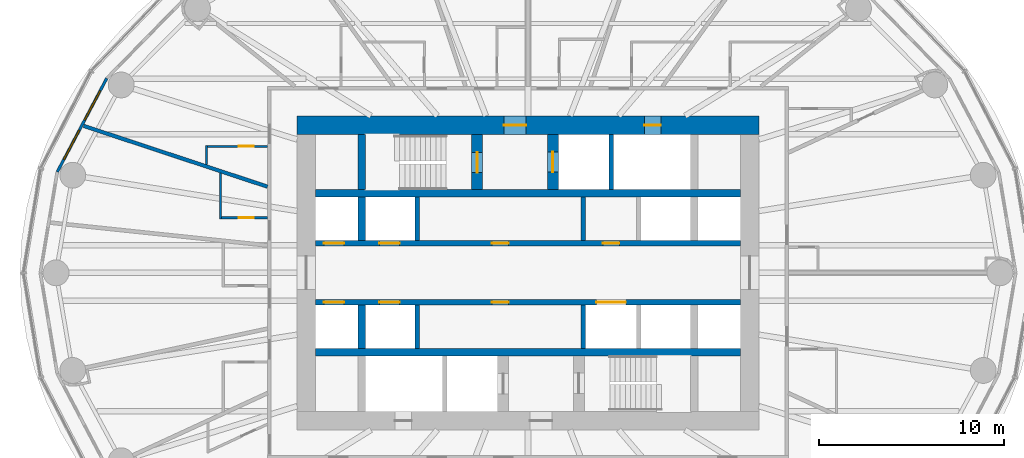
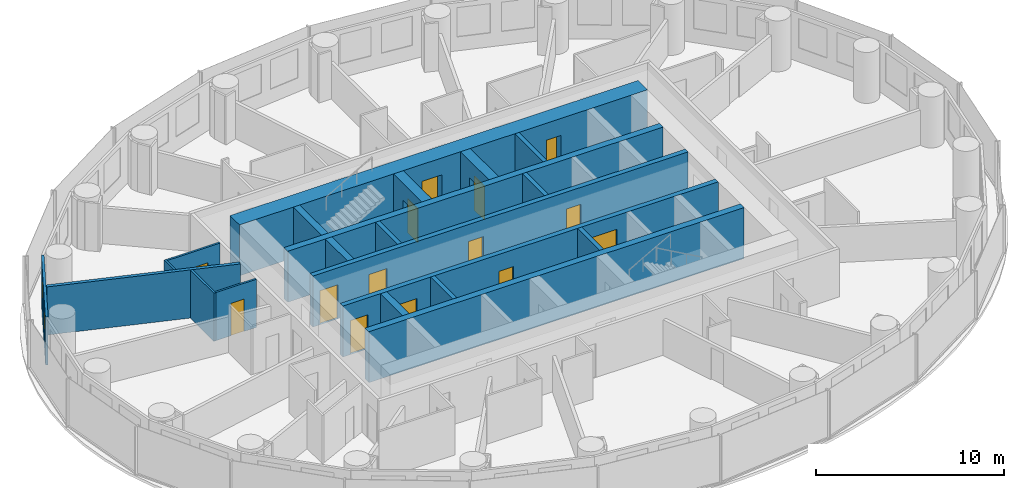
# One storey, part 8 of 13: 21 walls, 14 doors, 2 windows, 16 openings.
"""IFC4 building model written with IfcOpenShell, lengths in metres."""

from ifc_helpers import new_model, si_unit, direction, frame, frame_2d, origin, place, context, subcontext, project, spatial, rectangle, extrude, material, layer, layer_set, type_object, element, fill, save


model = new_model("IFC4")

# Units and contexts
model_context = context("Model", 3, precision=1e-05, world=origin(), true_north=direction((0.0, 1.0)))
body_context = subcontext(model_context, "Body", "Model", "MODEL_VIEW")
ifc_project = project(units=[si_unit("LENGTHUNIT", "METRE"), si_unit("AREAUNIT", "SQUARE_METRE"), si_unit("VOLUMEUNIT", "CUBIC_METRE"), si_unit("PLANEANGLEUNIT", "RADIAN"), si_unit("MASSUNIT", "GRAM", prefix="KILO")], contexts=[model_context])

# Site, building, storey
site_placement = place(None, origin())
site = spatial("IfcSite", under=ifc_project, at=site_placement, CompositionType="ELEMENT")
building_placement = place(site_placement, origin())
building = spatial("IfcBuilding", under=site, at=building_placement, Name="Hankou Lantern Tower", CompositionType="ELEMENT")
storey_placement = place(building_placement, frame((0.0, 0.0, 80.39990234375)))
storey = spatial("IfcBuildingStorey", under=building, at=storey_placement, Name="L20", CompositionType="ELEMENT", Elevation=80.39990234375)

# Wall, openings, doors
ifc_material_1 = material(Name="Concrete C60", Category="concrete")
ifc_layer_1 = layer(ifc_material_1, 1.0)
ifc_layer_set_1 = layer_set([ifc_layer_1], Name="Concrete C60")
wall_type_1 = type_object("IfcWallType", Name="CW1 CORE WALL 1000", PredefinedType="SHEAR", material=ifc_layer_set_1)
wall_1_placement = place(storey_placement, frame((-12.5, 8.0, 0.0), z_axis=(0.0, 0.0, 1.0), x_axis=(1.0, 0.0, 0.0)))
wall_1 = element("IfcWall", 1, at=wall_1_placement, inside=storey, type_object=wall_type_1, Name="Core wall north L20", PredefinedType="SHEAR", context=body_context, shape_type="SweptSolid", body=[
    extrude(rectangle(XDim=25.0, YDim=1.0, at=frame_2d((12.5, 0.0))), origin(), (0.0, 0.0, 1.0), 3.300048828125),
])
opening_1_placement = place(wall_1_placement, frame((11.199951171875, 0.0, 0.0)))
opening_1 = element("IfcOpeningElement", 2, at=opening_1_placement, cuts=wall_1, Name="Opening D5", PredefinedType="OPENING", context=body_context, shape_type="SweptSolid", body=[
    extrude(rectangle(XDim=1.199951171875, YDim=2.199951171875, at=frame_2d((0.60009765625, 1.10009765625))), frame((0.0, 0.510009765625, 0.0), z_axis=(0.0, -1.0, 0.0), x_axis=(1.0, 0.0, 0.0)), (0.0, 0.0, 1.0), 1.02001953125),
])
opening_2_placement = place(wall_1_placement, frame((18.800048828125, 0.0, 0.0)))
opening_2 = element("IfcOpeningElement", 3, at=opening_2_placement, cuts=wall_1, Name="Opening D7", PredefinedType="OPENING", context=body_context, shape_type="SweptSolid", body=[
    extrude(rectangle(XDim=0.89990234375, YDim=2.199951171875, at=frame_2d((0.449951171875, 1.10009765625))), frame((0.0, 0.510009765625, 0.0), z_axis=(0.0, -1.0, 0.0), x_axis=(1.0, 0.0, 0.0)), (0.0, 0.0, 1.0), 1.02001953125),
])
ifc_material_2 = material(Name="Steel door leaf", Category="steel")
door_type_1 = type_object("IfcDoorType", Name="D5 STAIR LOBBY DOOR 1200X2200", OperationType="SINGLE_SWING_LEFT", PredefinedType="DOOR", material=ifc_material_2)
door_1_placement = place(opening_1_placement, origin())
door_1 = element("IfcDoor", 4, at=door_1_placement, inside=storey, type_object=door_type_1, Name="Stair A lobby door", OperationType="SINGLE_SWING_LEFT", OverallHeight=2.199951171875, OverallWidth=1.199951171875, PredefinedType="DOOR", context=body_context, shape_type="SweptSolid", body=[
    extrude(rectangle(XDim=1.199951171875, YDim=2.199951171875, at=frame_2d((0.60009765625, 1.10009765625))), frame((0.0, 0.02490234375, 0.0), z_axis=(0.0, -1.0, 0.0), x_axis=(1.0, 0.0, 0.0)), (0.0, 0.0, 1.0), 0.050048828125),
])
fill(opening_1, door_1)
ifc_material_3 = material(Name="Steel door leaf", Category="steel")
door_type_2 = type_object("IfcDoorType", Name="D7 RISER DOOR 900X2200", OperationType="SINGLE_SWING_LEFT", PredefinedType="DOOR", material=ifc_material_3)
door_2_placement = place(opening_2_placement, origin())
door_2 = element("IfcDoor", 5, at=door_2_placement, inside=storey, type_object=door_type_2, Name="Riser N1 door", OperationType="SINGLE_SWING_RIGHT", OverallHeight=2.199951171875, OverallWidth=0.89990234375, PredefinedType="DOOR", context=body_context, shape_type="SweptSolid", body=[
    extrude(rectangle(XDim=0.89990234375, YDim=2.199951171875, at=frame_2d((0.449951171875, 1.10009765625))), frame((0.0, 0.02490234375, 0.0), z_axis=(0.0, -1.0, 0.0), x_axis=(1.0, 0.0, 0.0)), (0.0, 0.0, 1.0), 0.050048828125),
])
fill(opening_2, door_2)

# Walls
ifc_material_4 = material(Name="Concrete C60", Category="concrete")
ifc_layer_2 = layer(ifc_material_4, 0.39990234375)
ifc_layer_set_2 = layer_set([ifc_layer_2], Name="Concrete C60")
wall_type_2 = type_object("IfcWallType", Name="CW4 CORE CROSS WALL 400", PredefinedType="SHEAR", material=ifc_layer_set_2)
for number, where, z_axis, x_axis, name in (
    (6, (-11.5, 4.300048828125, 0.0), (0.0, 0.0, 1.0), (1.0, 0.0, 0.0), "Core band wall north L20"),
    (7, (-11.5, -4.300048828125, 0.0), (0.0, 0.0, 1.0), (1.0, 0.0, 0.0), "Core band wall south L20"),
):
    element("IfcWall", number, at=place(storey_placement, frame(where, z_axis=z_axis, x_axis=x_axis)), inside=storey, type_object=wall_type_2, Name=name, PredefinedType="SHEAR", context=body_context, shape_type="SweptSolid", body=[
        extrude(rectangle(XDim=23.0, YDim=0.39990234375, at=frame_2d((11.5, 0.0))), origin(), (0.0, 0.0, 1.0), 3.300048828125),
    ])
wall_2_placement = place(storey_placement, frame((-9.0, 4.5, 0.0), z_axis=(0.0, 0.0, 1.0), x_axis=(0.0, 1.0, 0.0)))
element("IfcWall", 8, at=wall_2_placement, inside=storey, type_object=wall_type_2, Name="Core strip wall L20", PredefinedType="SHEAR", context=body_context, shape_type="SweptSolid", body=[
    extrude(rectangle(XDim=3.0, YDim=0.39990234375, at=frame_2d((1.5, 0.0))), origin(), (0.0, 0.0, 1.0), 3.300048828125),
])
for number, where, z_axis, x_axis, name in (
    (9, (-9.0, 1.75, 0.0), (0.0, 0.0, 1.0), (0.0, 1.0, 0.0), "Core strip wall L20"),
    (10, (-9.0, -4.10009765625, 0.0), (0.0, 0.0, 1.0), (0.0, 1.0, 0.0), "Core strip wall L20"),
):
    element("IfcWall", number, at=place(storey_placement, frame(where, z_axis=z_axis, x_axis=x_axis)), inside=storey, type_object=wall_type_2, Name=name, PredefinedType="SHEAR", context=body_context, shape_type="SweptSolid", body=[
        extrude(rectangle(XDim=2.35009765625, YDim=0.39990234375, at=frame_2d((1.175048828125, 0.0))), origin(), (0.0, 0.0, 1.0), 3.300048828125),
    ])

# Wall, openings, doors
ifc_material_5 = material(Name="Concrete C60", Category="concrete")
ifc_layer_3 = layer(ifc_material_5, 0.300048828125)
ifc_layer_set_3 = layer_set([ifc_layer_3], Name="Concrete C60")
wall_type_3 = type_object("IfcWallType", Name="CW5 LIFT LOBBY WALL 300", PredefinedType="SHEAR", material=ifc_layer_set_3)
wall_3_placement = place(storey_placement, frame((-11.5, 1.60009765625, 0.0), z_axis=(0.0, 0.0, 1.0), x_axis=(1.0, 0.0, 0.0)))
wall_3 = element("IfcWall", 11, at=wall_3_placement, inside=storey, type_object=wall_type_3, Name="Lift lobby wall north L20", PredefinedType="SHEAR", context=body_context, shape_type="SweptSolid", body=[
    extrude(rectangle(XDim=23.0, YDim=0.300048828125, at=frame_2d((11.5, 0.0))), origin(), (0.0, 0.0, 1.0), 3.300048828125),
])
opening_3_placement = place(wall_3_placement, frame((0.449951171875, 0.0, 0.0)))
opening_3 = element("IfcOpeningElement", 12, at=opening_3_placement, cuts=wall_3, Name="Opening LD1", PredefinedType="OPENING", context=body_context, shape_type="SweptSolid", body=[
    extrude(rectangle(XDim=1.10009765625, YDim=2.199951171875, at=frame_2d((0.550048828125, 1.10009765625))), frame((0.0, 0.159912109375, 0.0), z_axis=(0.0, -1.0, 0.0), x_axis=(1.0, 0.0, 0.0)), (0.0, 0.0, 1.0), 0.320068359375),
])
opening_4_placement = place(wall_3_placement, frame((3.449951171875, 0.0, 0.0)))
opening_4 = element("IfcOpeningElement", 13, at=opening_4_placement, cuts=wall_3, Name="Opening LD1", PredefinedType="OPENING", context=body_context, shape_type="SweptSolid", body=[
    extrude(rectangle(XDim=1.10009765625, YDim=2.199951171875, at=frame_2d((0.550048828125, 1.10009765625))), frame((0.0, 0.159912109375, 0.0), z_axis=(0.0, -1.0, 0.0), x_axis=(1.0, 0.0, 0.0)), (0.0, 0.0, 1.0), 0.320068359375),
])
opening_5_placement = place(wall_3_placement, frame((9.550048828125, 0.0, 0.0)))
opening_5 = element("IfcOpeningElement", 14, at=opening_5_placement, cuts=wall_3, Name="Opening D30", PredefinedType="OPENING", context=body_context, shape_type="SweptSolid", body=[
    extrude(rectangle(XDim=0.89990234375, YDim=2.199951171875, at=frame_2d((0.449951171875, 1.10009765625))), frame((0.0, 0.159912109375, 0.0), z_axis=(0.0, -1.0, 0.0), x_axis=(1.0, 0.0, 0.0)), (0.0, 0.0, 1.0), 0.320068359375),
])
opening_6_placement = place(wall_3_placement, frame((15.550048828125, 0.0, 0.0)))
opening_6 = element("IfcOpeningElement", 15, at=opening_6_placement, cuts=wall_3, Name="Opening D30", PredefinedType="OPENING", context=body_context, shape_type="SweptSolid", body=[
    extrude(rectangle(XDim=0.89990234375, YDim=2.199951171875, at=frame_2d((0.449951171875, 1.10009765625))), frame((0.0, 0.159912109375, 0.0), z_axis=(0.0, -1.0, 0.0), x_axis=(1.0, 0.0, 0.0)), (0.0, 0.0, 1.0), 0.320068359375),
])
ifc_material_6 = material(Name="Steel door leaf", Category="steel")
door_type_3 = type_object("IfcDoorType", Name="D30 CORE ROOM DOOR 900X2200", OperationType="SINGLE_SWING_LEFT", PredefinedType="DOOR", material=ifc_material_6)
door_3_placement = place(opening_5_placement, origin())
door_3 = element("IfcDoor", 16, at=door_3_placement, inside=storey, type_object=door_type_3, Name="Engineering store door", OperationType="SINGLE_SWING_LEFT", OverallHeight=2.199951171875, OverallWidth=0.89990234375, PredefinedType="DOOR", context=body_context, shape_type="SweptSolid", body=[
    extrude(rectangle(XDim=0.89990234375, YDim=2.199951171875, at=frame_2d((0.449951171875, 1.10009765625))), frame((0.0, 0.02490234375, 0.0), z_axis=(0.0, -1.0, 0.0), x_axis=(1.0, 0.0, 0.0)), (0.0, 0.0, 1.0), 0.050048828125),
])
fill(opening_5, door_3)
door_4_placement = place(opening_6_placement, origin())
door_4 = element("IfcDoor", 17, at=door_4_placement, inside=storey, type_object=door_type_3, Name="Cleaner's store door", OperationType="SINGLE_SWING_RIGHT", OverallHeight=2.199951171875, OverallWidth=0.89990234375, PredefinedType="DOOR", context=body_context, shape_type="SweptSolid", body=[
    extrude(rectangle(XDim=0.89990234375, YDim=2.199951171875, at=frame_2d((0.449951171875, 1.10009765625))), frame((0.0, 0.02490234375, 0.0), z_axis=(0.0, -1.0, 0.0), x_axis=(1.0, 0.0, 0.0)), (0.0, 0.0, 1.0), 0.050048828125),
])
fill(opening_6, door_4)
ifc_material_7 = material(Name="Steel door leaf", Category="steel")
door_type_4 = type_object("IfcDoorType", Name="LD1 LIFT LANDING DOOR 1100X2200", OperationType="DOUBLE_DOOR_SLIDING", PredefinedType="DOOR", material=ifc_material_7)
door_5_placement = place(opening_3_placement, origin())
door_5 = element("IfcDoor", 18, at=door_5_placement, inside=storey, type_object=door_type_4, Name="Lift L1 landing door", OperationType="DOUBLE_DOOR_SLIDING", OverallHeight=2.199951171875, OverallWidth=1.10009765625, PredefinedType="DOOR", context=body_context, shape_type="SweptSolid", body=[
    extrude(rectangle(XDim=1.10009765625, YDim=2.199951171875, at=frame_2d((0.550048828125, 1.10009765625))), frame((0.0, 0.02490234375, 0.0), z_axis=(0.0, -1.0, 0.0), x_axis=(1.0, 0.0, 0.0)), (0.0, 0.0, 1.0), 0.050048828125),
])
fill(opening_3, door_5)
door_6_placement = place(opening_4_placement, origin())
door_6 = element("IfcDoor", 19, at=door_6_placement, inside=storey, type_object=door_type_4, Name="Lift L2 landing door", OperationType="DOUBLE_DOOR_SLIDING", OverallHeight=2.199951171875, OverallWidth=1.10009765625, PredefinedType="DOOR", context=body_context, shape_type="SweptSolid", body=[
    extrude(rectangle(XDim=1.10009765625, YDim=2.199951171875, at=frame_2d((0.550048828125, 1.10009765625))), frame((0.0, 0.02490234375, 0.0), z_axis=(0.0, -1.0, 0.0), x_axis=(1.0, 0.0, 0.0)), (0.0, 0.0, 1.0), 0.050048828125),
])
fill(opening_4, door_6)

wall_4_placement = place(storey_placement, frame((-11.5, -1.60009765625, 0.0), z_axis=(0.0, 0.0, 1.0), x_axis=(1.0, 0.0, 0.0)))
wall_4 = element("IfcWall", 20, at=wall_4_placement, inside=storey, type_object=wall_type_3, Name="Lift lobby wall south L20", PredefinedType="SHEAR", context=body_context, shape_type="SweptSolid", body=[
    extrude(rectangle(XDim=23.0, YDim=0.300048828125, at=frame_2d((11.5, 0.0))), origin(), (0.0, 0.0, 1.0), 3.300048828125),
])
opening_7_placement = place(wall_4_placement, frame((0.449951171875, 0.0, 0.0)))
opening_7 = element("IfcOpeningElement", 21, at=opening_7_placement, cuts=wall_4, Name="Opening LD1", PredefinedType="OPENING", context=body_context, shape_type="SweptSolid", body=[
    extrude(rectangle(XDim=1.10009765625, YDim=2.199951171875, at=frame_2d((0.550048828125, 1.10009765625))), frame((0.0, 0.159912109375, 0.0), z_axis=(0.0, -1.0, 0.0), x_axis=(1.0, 0.0, 0.0)), (0.0, 0.0, 1.0), 0.320068359375),
])
opening_8_placement = place(wall_4_placement, frame((3.449951171875, 0.0, 0.0)))
opening_8 = element("IfcOpeningElement", 22, at=opening_8_placement, cuts=wall_4, Name="Opening LD1", PredefinedType="OPENING", context=body_context, shape_type="SweptSolid", body=[
    extrude(rectangle(XDim=1.10009765625, YDim=2.199951171875, at=frame_2d((0.550048828125, 1.10009765625))), frame((0.0, 0.159912109375, 0.0), z_axis=(0.0, -1.0, 0.0), x_axis=(1.0, 0.0, 0.0)), (0.0, 0.0, 1.0), 0.320068359375),
])
opening_9_placement = place(wall_4_placement, frame((15.199951171875, 0.0, 0.0)))
opening_9 = element("IfcOpeningElement", 23, at=opening_9_placement, cuts=wall_4, Name="Opening LD4", PredefinedType="OPENING", context=body_context, shape_type="SweptSolid", body=[
    extrude(rectangle(XDim=1.60009765625, YDim=2.39990234375, at=frame_2d((0.800048828125, 1.199951171875))), frame((0.0, 0.159912109375, 0.0), z_axis=(0.0, -1.0, 0.0), x_axis=(1.0, 0.0, 0.0)), (0.0, 0.0, 1.0), 0.320068359375),
])
opening_10_placement = place(wall_4_placement, frame((9.550048828125, 0.0, 0.0)))
opening_10 = element("IfcOpeningElement", 24, at=opening_10_placement, cuts=wall_4, Name="Opening D30", PredefinedType="OPENING", context=body_context, shape_type="SweptSolid", body=[
    extrude(rectangle(XDim=0.89990234375, YDim=2.199951171875, at=frame_2d((0.449951171875, 1.10009765625))), frame((0.0, 0.159912109375, 0.0), z_axis=(0.0, -1.0, 0.0), x_axis=(1.0, 0.0, 0.0)), (0.0, 0.0, 1.0), 0.320068359375),
])
door_7_placement = place(opening_10_placement, origin())
door_7 = element("IfcDoor", 25, at=door_7_placement, inside=storey, type_object=door_type_3, Name="Housekeeping and linen store door", OperationType="SINGLE_SWING_LEFT", OverallHeight=2.199951171875, OverallWidth=0.89990234375, PredefinedType="DOOR", context=body_context, shape_type="SweptSolid", body=[
    extrude(rectangle(XDim=0.89990234375, YDim=2.199951171875, at=frame_2d((0.449951171875, 1.10009765625))), frame((0.0, 0.02490234375, 0.0), z_axis=(0.0, -1.0, 0.0), x_axis=(1.0, 0.0, 0.0)), (0.0, 0.0, 1.0), 0.050048828125),
])
fill(opening_10, door_7)
door_8_placement = place(opening_7_placement, origin())
door_8 = element("IfcDoor", 26, at=door_8_placement, inside=storey, type_object=door_type_4, Name="Lift L3 landing door", OperationType="DOUBLE_DOOR_SLIDING", OverallHeight=2.199951171875, OverallWidth=1.10009765625, PredefinedType="DOOR", context=body_context, shape_type="SweptSolid", body=[
    extrude(rectangle(XDim=1.10009765625, YDim=2.199951171875, at=frame_2d((0.550048828125, 1.10009765625))), frame((0.0, 0.02490234375, 0.0), z_axis=(0.0, -1.0, 0.0), x_axis=(1.0, 0.0, 0.0)), (0.0, 0.0, 1.0), 0.050048828125),
])
fill(opening_7, door_8)
door_9_placement = place(opening_8_placement, origin())
door_9 = element("IfcDoor", 27, at=door_9_placement, inside=storey, type_object=door_type_4, Name="Lift L4 landing door", OperationType="DOUBLE_DOOR_SLIDING", OverallHeight=2.199951171875, OverallWidth=1.10009765625, PredefinedType="DOOR", context=body_context, shape_type="SweptSolid", body=[
    extrude(rectangle(XDim=1.10009765625, YDim=2.199951171875, at=frame_2d((0.550048828125, 1.10009765625))), frame((0.0, 0.02490234375, 0.0), z_axis=(0.0, -1.0, 0.0), x_axis=(1.0, 0.0, 0.0)), (0.0, 0.0, 1.0), 0.050048828125),
])
fill(opening_8, door_9)
ifc_material_8 = material(Name="Steel door leaf", Category="steel")
door_type_5 = type_object("IfcDoorType", Name="LD4 SERVICE LIFT LANDING DOOR 1600X2400", OperationType="DOUBLE_DOOR_SLIDING", PredefinedType="DOOR", material=ifc_material_8)
door_10_placement = place(opening_9_placement, origin())
door_10 = element("IfcDoor", 28, at=door_10_placement, inside=storey, type_object=door_type_5, Name="Lift SV1 landing door", OperationType="DOUBLE_DOOR_SLIDING", OverallHeight=2.39990234375, OverallWidth=1.60009765625, PredefinedType="DOOR", context=body_context, shape_type="SweptSolid", body=[
    extrude(rectangle(XDim=1.60009765625, YDim=2.39990234375, at=frame_2d((0.800048828125, 1.199951171875))), frame((0.0, 0.02490234375, 0.0), z_axis=(0.0, -1.0, 0.0), x_axis=(1.0, 0.0, 0.0)), (0.0, 0.0, 1.0), 0.050048828125),
])
fill(opening_9, door_10)

# Wall, opening, door
ifc_material_9 = material(Name="Concrete C60", Category="concrete")
ifc_layer_4 = layer(ifc_material_9, 0.60009765625)
ifc_layer_set_4 = layer_set([ifc_layer_4], Name="Concrete C60")
wall_type_4 = type_object("IfcWallType", Name="CW6 STAIR AND SHAFT WALL 600", PredefinedType="SHEAR", material=ifc_layer_set_4)
wall_5_placement = place(storey_placement, frame((-2.75, 4.5, 0.0), z_axis=(0.0, 0.0, 1.0), x_axis=(0.0, 1.0, 0.0)))
wall_5 = element("IfcWall", 29, at=wall_5_placement, inside=storey, type_object=wall_type_4, Name="Stair wall L20", PredefinedType="SHEAR", context=body_context, shape_type="SweptSolid", body=[
    extrude(rectangle(XDim=3.0, YDim=0.60009765625, at=frame_2d((1.5, 0.0))), origin(), (0.0, 0.0, 1.0), 3.300048828125),
])
opening_11_placement = place(wall_5_placement, frame((0.925048828125, 0.0, 0.0)))
opening_11 = element("IfcOpeningElement", 30, at=opening_11_placement, cuts=wall_5, Name="Opening D4", PredefinedType="OPENING", context=body_context, shape_type="SweptSolid", body=[
    extrude(rectangle(XDim=1.10009765625, YDim=2.199951171875, at=frame_2d((0.550048828125, 1.10009765625))), frame((0.0, 0.31005859375, 0.0), z_axis=(0.0, -1.0, 0.0), x_axis=(1.0, 0.0, 0.0)), (0.0, 0.0, 1.0), 0.6201171875),
])
ifc_material_10 = material(Name="Steel door leaf", Category="steel")
door_type_6 = type_object("IfcDoorType", Name="D4 STAIR DOOR 1100X2200", OperationType="SINGLE_SWING_LEFT", PredefinedType="DOOR", material=ifc_material_10)
door_11_placement = place(opening_11_placement, origin())
door_11 = element("IfcDoor", 31, at=door_11_placement, inside=storey, type_object=door_type_6, Name="Stair A door", OperationType="SINGLE_SWING_LEFT", OverallHeight=2.199951171875, OverallWidth=1.10009765625, PredefinedType="DOOR", context=body_context, shape_type="SweptSolid", body=[
    extrude(rectangle(XDim=1.10009765625, YDim=2.199951171875, at=frame_2d((0.550048828125, 1.10009765625))), frame((0.0, 0.02490234375, 0.0), z_axis=(0.0, -1.0, 0.0), x_axis=(1.0, 0.0, 0.0)), (0.0, 0.0, 1.0), 0.050048828125),
])
fill(opening_11, door_11)

wall_6_placement = place(storey_placement, frame((1.35009765625, 4.5, 0.0), z_axis=(0.0, 0.0, 1.0), x_axis=(0.0, 1.0, 0.0)))
wall_6 = element("IfcWall", 32, at=wall_6_placement, inside=storey, type_object=wall_type_4, Name="Firefighting lift shaft wall L20", PredefinedType="SHEAR", context=body_context, shape_type="SweptSolid", body=[
    extrude(rectangle(XDim=3.0, YDim=0.60009765625, at=frame_2d((1.5, 0.0))), origin(), (0.0, 0.0, 1.0), 3.300048828125),
])
opening_12_placement = place(wall_6_placement, frame((0.949951171875, 0.0, 0.0)))
opening_12 = element("IfcOpeningElement", 33, at=opening_12_placement, cuts=wall_6, Name="Opening LD2", PredefinedType="OPENING", context=body_context, shape_type="SweptSolid", body=[
    extrude(rectangle(XDim=1.10009765625, YDim=2.199951171875, at=frame_2d((0.550048828125, 1.10009765625))), frame((0.0, 0.31005859375, 0.0), z_axis=(0.0, -1.0, 0.0), x_axis=(1.0, 0.0, 0.0)), (0.0, 0.0, 1.0), 0.6201171875),
])
ifc_material_11 = material(Name="Steel door leaf", Category="steel")
door_type_7 = type_object("IfcDoorType", Name="LD2 FIREFIGHTING LIFT LANDING DOOR 1100X2200", OperationType="DOUBLE_DOOR_SLIDING", PredefinedType="DOOR", material=ifc_material_11)
door_12_placement = place(opening_12_placement, origin())
door_12 = element("IfcDoor", 34, at=door_12_placement, inside=storey, type_object=door_type_7, Name="Firefighting lift FL1 landing door", OperationType="DOUBLE_DOOR_SLIDING", OverallHeight=2.199951171875, OverallWidth=1.10009765625, PredefinedType="DOOR", context=body_context, shape_type="SweptSolid", body=[
    extrude(rectangle(XDim=1.10009765625, YDim=2.199951171875, at=frame_2d((0.550048828125, 1.10009765625))), frame((0.0, 0.02490234375, 0.0), z_axis=(0.0, -1.0, 0.0), x_axis=(1.0, 0.0, 0.0)), (0.0, 0.0, 1.0), 0.050048828125),
])
fill(opening_12, door_12)

# Wall, openings, windows
ifc_material_12 = material(Name="Aluminium spandrel panel on steel studs", Category="steel")
ifc_layer_5 = layer(ifc_material_12, 0.14990234375)
ifc_layer_set_5 = layer_set([ifc_layer_5], Name="Aluminium spandrel panel on steel studs")
wall_type_5 = type_object("IfcWallType", Name="EW1 INNER SKIN WALL 150", PredefinedType="ELEMENTEDWALL", material=ifc_layer_set_5)
wall_7_placement = place(storey_placement, frame((-22.802734375, 10.5322265625, 0.0), z_axis=(0.0, 0.0, 1.0), x_axis=(-0.467296867008, -0.884100468321, 0.0)))
wall_7 = element("IfcWall", 35, at=wall_7_placement, inside=storey, type_object=wall_type_5, Name="Inner skin R11-R12 L20", PredefinedType="ELEMENTEDWALL", context=body_context, shape_type="SweptSolid", body=[
    extrude(rectangle(XDim=5.734375, YDim=0.14990234375, at=frame_2d((2.8671875, 0.0))), origin(), (0.0, 0.0, 1.0), 3.1201171875),
])
opening_13_placement = place(wall_7_placement, frame((0.76708984375, 0.0, 0.89990234375)))
opening_13 = element("IfcOpeningElement", 36, at=opening_13_placement, cuts=wall_7, Name="Opening W1", PredefinedType="OPENING", context=body_context, shape_type="SweptSolid", body=[
    extrude(rectangle(XDim=1.800048828125, YDim=1.89990234375, at=frame_2d((0.89990234375, 0.949951171875))), frame((0.0, 0.0849609375, 0.0), z_axis=(0.0, -1.0, 0.0), x_axis=(1.0, 0.0, 0.0)), (0.0, 0.0, 1.0), 0.169921875),
])
opening_14_placement = place(wall_7_placement, frame((3.167236328125, 0.0, 0.89990234375)))
opening_14 = element("IfcOpeningElement", 37, at=opening_14_placement, cuts=wall_7, Name="Opening W1", PredefinedType="OPENING", context=body_context, shape_type="SweptSolid", body=[
    extrude(rectangle(XDim=1.800048828125, YDim=1.89990234375, at=frame_2d((0.89990234375, 0.949951171875))), frame((0.0, 0.0849609375, 0.0), z_axis=(0.0, -1.0, 0.0), x_axis=(1.0, 0.0, 0.0)), (0.0, 0.0, 1.0), 0.169921875),
])
ifc_material_13 = material(Name="Aluminium framed double glazed window", Category="aluminium")
window_type = type_object("IfcWindowType", Name="W1 GUEST ROOM WINDOW 1800X1900", PartitioningType="DOUBLE_PANEL_VERTICAL", PredefinedType="WINDOW", material=ifc_material_13)
window_1_placement = place(opening_13_placement, origin())
window_1 = element("IfcWindow", 38, at=window_1_placement, inside=storey, type_object=window_type, Name="Window R11.1 L20", OverallHeight=1.89990234375, OverallWidth=1.800048828125, PartitioningType="SINGLE_PANEL", PredefinedType="WINDOW", context=body_context, shape_type="SweptSolid", body=[
    extrude(rectangle(XDim=1.800048828125, YDim=1.89990234375, at=frame_2d((0.89990234375, 0.949951171875))), frame((0.0, 0.030029296875, 0.0), z_axis=(0.0, -1.0, 0.0), x_axis=(1.0, 0.0, 0.0)), (0.0, 0.0, 1.0), 0.06005859375),
])
fill(opening_13, window_1)
window_2_placement = place(opening_14_placement, origin())
window_2 = element("IfcWindow", 39, at=window_2_placement, inside=storey, type_object=window_type, Name="Window R11.2 L20", OverallHeight=1.89990234375, OverallWidth=1.800048828125, PartitioningType="SINGLE_PANEL", PredefinedType="WINDOW", context=body_context, shape_type="SweptSolid", body=[
    extrude(rectangle(XDim=1.800048828125, YDim=1.89990234375, at=frame_2d((0.89990234375, 0.949951171875))), frame((0.0, 0.030029296875, 0.0), z_axis=(0.0, -1.0, 0.0), x_axis=(1.0, 0.0, 0.0)), (0.0, 0.0, 1.0), 0.06005859375),
])
fill(opening_14, window_2)

# Walls
ifc_material_14 = material(Name="Masonry lightweight concrete block", Category="masonry")
ifc_layer_6 = layer(ifc_material_14, 0.199951171875)
ifc_layer_set_6 = layer_set([ifc_layer_6], Name="Masonry lightweight concrete block")
wall_type_6 = type_object("IfcWallType", Name="IW1 GUEST ROOM PARTY WALL 200", PredefinedType="PARTITIONING", material=ifc_layer_set_6)
wall_8_placement = place(storey_placement, frame((-14.10009765625, 4.6630859375, 0.0), z_axis=(0.0, 0.0, 1.0), x_axis=(-0.949432655039, 0.31397075269, 0.0)))
element("IfcWall", 40, at=wall_8_placement, inside=storey, type_object=wall_type_6, Name="Party wall R11-R12", PredefinedType="PARTITIONING", context=body_context, shape_type="SweptSolid", body=[
    extrude(rectangle(XDim=10.48583984375, YDim=0.199951171875, at=frame_2d((5.242919921875, 0.0))), origin(), (0.0, 0.0, 1.0), 3.1201171875),
])
ifc_material_15 = material(Name="Masonry lightweight concrete block", Category="masonry")
ifc_layer_7 = layer(ifc_material_15, 0.1201171875)
ifc_layer_set_7 = layer_set([ifc_layer_7], Name="Masonry lightweight concrete block")
wall_type_7 = type_object("IfcWallType", Name="IW3 BATHROOM WALL 120", PredefinedType="PARTITIONING", material=ifc_layer_set_7)
wall_9_placement = place(storey_placement, frame((-16.64990234375, 5.40625, 0.0), z_axis=(0.0, 0.0, 1.0), x_axis=(0.0, -1.0, 0.0)))
element("IfcWall", 41, at=wall_9_placement, inside=storey, type_object=wall_type_7, Name="Box wall 2001 1", PredefinedType="PARTITIONING", context=body_context, shape_type="SweptSolid", body=[
    extrude(rectangle(XDim=2.483154296875, YDim=0.1201171875, at=frame_2d((1.24169921875, 0.0))), origin(), (0.0, 0.0, 1.0), 3.1201171875),
])

# Wall, opening, door
wall_10_placement = place(storey_placement, frame((-14.10009765625, 2.98291015625, 0.0), z_axis=(0.0, 0.0, 1.0), x_axis=(-1.0, 0.0, 0.0)))
wall_10 = element("IfcWall", 42, at=wall_10_placement, inside=storey, type_object=wall_type_7, Name="Box wall 2001 1", PredefinedType="PARTITIONING", context=body_context, shape_type="SweptSolid", body=[
    extrude(rectangle(XDim=2.489990234375, YDim=0.1201171875, at=frame_2d((1.2451171875, 0.0))), origin(), (0.0, 0.0, 1.0), 3.1201171875),
])
opening_15_placement = place(wall_10_placement, frame((0.75, 0.0, 0.0)))
opening_15 = element("IfcOpeningElement", 43, at=opening_15_placement, cuts=wall_10, Name="Opening D3", PredefinedType="OPENING", context=body_context, shape_type="SweptSolid", body=[
    extrude(rectangle(XDim=0.800048828125, YDim=2.10009765625, at=frame_2d((0.39990234375, 1.050048828125))), frame((0.0, 0.070068359375, 0.0), z_axis=(0.0, -1.0, 0.0), x_axis=(1.0, 0.0, 0.0)), (0.0, 0.0, 1.0), 0.14013671875),
])
ifc_material_16 = material(Name="Timber door leaf", Category="wood")
door_type_8 = type_object("IfcDoorType", Name="D3 BATHROOM DOOR 800X2100", OperationType="SINGLE_SWING_LEFT", PredefinedType="DOOR", material=ifc_material_16)
door_13_placement = place(opening_15_placement, origin())
door_13 = element("IfcDoor", 44, at=door_13_placement, inside=storey, type_object=door_type_8, Name="En-suite bathroom 2001 door", OperationType="SINGLE_SWING_LEFT", OverallHeight=2.10009765625, OverallWidth=0.800048828125, PredefinedType="DOOR", context=body_context, shape_type="SweptSolid", body=[
    extrude(rectangle(XDim=0.800048828125, YDim=2.10009765625, at=frame_2d((0.39990234375, 1.050048828125))), frame((0.0, 0.02490234375, 0.0), z_axis=(0.0, -1.0, 0.0), x_axis=(1.0, 0.0, 0.0)), (0.0, 0.0, 1.0), 0.050048828125),
])
fill(opening_15, door_13)

# Wall
wall_11_placement = place(storey_placement, frame((-17.39990234375, 5.854248046875, 0.0), z_axis=(0.0, 0.0, 1.0), x_axis=(0.0, 1.0, 0.0)))
element("IfcWall", 45, at=wall_11_placement, inside=storey, type_object=wall_type_7, Name="Box wall 2017 1", PredefinedType="PARTITIONING", context=body_context, shape_type="SweptSolid", body=[
    extrude(rectangle(XDim=1.048828125, YDim=0.1201171875, at=frame_2d((0.5244140625, 0.0))), origin(), (0.0, 0.0, 1.0), 3.1201171875),
])

# Wall, opening, door
wall_12_placement = place(storey_placement, frame((-14.10009765625, 6.843017578125, 0.0), z_axis=(0.0, 0.0, 1.0), x_axis=(-1.0, 0.0, 0.0)))
wall_12 = element("IfcWall", 46, at=wall_12_placement, inside=storey, type_object=wall_type_7, Name="Box wall 2017 1", PredefinedType="PARTITIONING", context=body_context, shape_type="SweptSolid", body=[
    extrude(rectangle(XDim=3.239990234375, YDim=0.1201171875, at=frame_2d((1.6201171875, 0.0))), origin(), (0.0, 0.0, 1.0), 3.1201171875),
])
opening_16_placement = place(wall_12_placement, frame((0.75, 0.0, 0.0)))
opening_16 = element("IfcOpeningElement", 47, at=opening_16_placement, cuts=wall_12, Name="Opening D3", PredefinedType="OPENING", context=body_context, shape_type="SweptSolid", body=[
    extrude(rectangle(XDim=0.800048828125, YDim=2.10009765625, at=frame_2d((0.39990234375, 1.050048828125))), frame((0.0, 0.070068359375, 0.0), z_axis=(0.0, -1.0, 0.0), x_axis=(1.0, 0.0, 0.0)), (0.0, 0.0, 1.0), 0.14013671875),
])
door_14_placement = place(opening_16_placement, origin())
door_14 = element("IfcDoor", 48, at=door_14_placement, inside=storey, type_object=door_type_8, Name="En-suite bathroom 2017 door", OperationType="SINGLE_SWING_LEFT", OverallHeight=2.10009765625, OverallWidth=0.800048828125, PredefinedType="DOOR", context=body_context, shape_type="SweptSolid", body=[
    extrude(rectangle(XDim=0.800048828125, YDim=2.10009765625, at=frame_2d((0.39990234375, 1.050048828125))), frame((0.0, 0.02490234375, 0.0), z_axis=(0.0, -1.0, 0.0), x_axis=(1.0, 0.0, 0.0)), (0.0, 0.0, 1.0), 0.050048828125),
])
fill(opening_16, door_14)

# Walls
ifc_material_17 = material(Name="Masonry autoclaved aerated concrete block", Category="masonry")
ifc_layer_8 = layer(ifc_material_17, 0.25)
ifc_layer_set_8 = layer_set([ifc_layer_8], Name="Masonry autoclaved aerated concrete block")
wall_type_8 = type_object("IfcWallType", Name="SW1 SHAFT BLOCK WALL 250", PredefinedType="PARTITIONING", material=ifc_layer_set_8)
wall_13_placement = place(storey_placement, frame((4.5, 4.5, 0.0), z_axis=(0.0, 0.0, 1.0), x_axis=(0.0, 1.0, 0.0)))
element("IfcWall", 49, at=wall_13_placement, inside=storey, type_object=wall_type_8, Name="Riser wall L20", PredefinedType="PARTITIONING", context=body_context, shape_type="SweptSolid", body=[
    extrude(rectangle(XDim=3.0, YDim=0.25, at=frame_2d((1.5, 0.0))), origin(), (0.0, 0.0, 1.0), 3.300048828125),
])
for number, where, z_axis, x_axis, name in (
    (50, (-6.0, 1.75, 0.0), (0.0, 0.0, 1.0), (0.0, 1.0, 0.0), "Lift shaft wall L20"),
    (51, (3.0, 1.75, 0.0), (0.0, 0.0, 1.0), (0.0, 1.0, 0.0), "Lift shaft wall L20"),
    (52, (-6.0, -4.10009765625, 0.0), (0.0, 0.0, 1.0), (0.0, 1.0, 0.0), "Lift shaft wall L20"),
    (53, (3.0, -4.10009765625, 0.0), (0.0, 0.0, 1.0), (0.0, 1.0, 0.0), "Lift shaft wall L20"),
):
    element("IfcWall", number, at=place(storey_placement, frame(where, z_axis=z_axis, x_axis=x_axis)), inside=storey, type_object=wall_type_8, Name=name, PredefinedType="PARTITIONING", context=body_context, shape_type="SweptSolid", body=[
        extrude(rectangle(XDim=2.35009765625, YDim=0.25, at=frame_2d((1.175048828125, 0.0))), origin(), (0.0, 0.0, 1.0), 3.300048828125),
    ])

save(model, "model.ifc")
